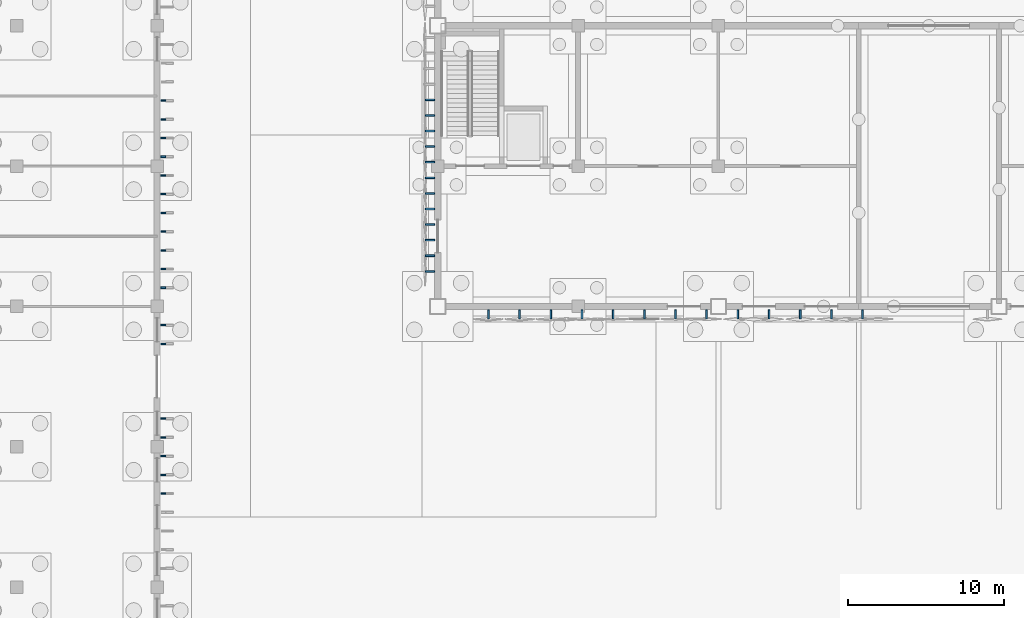
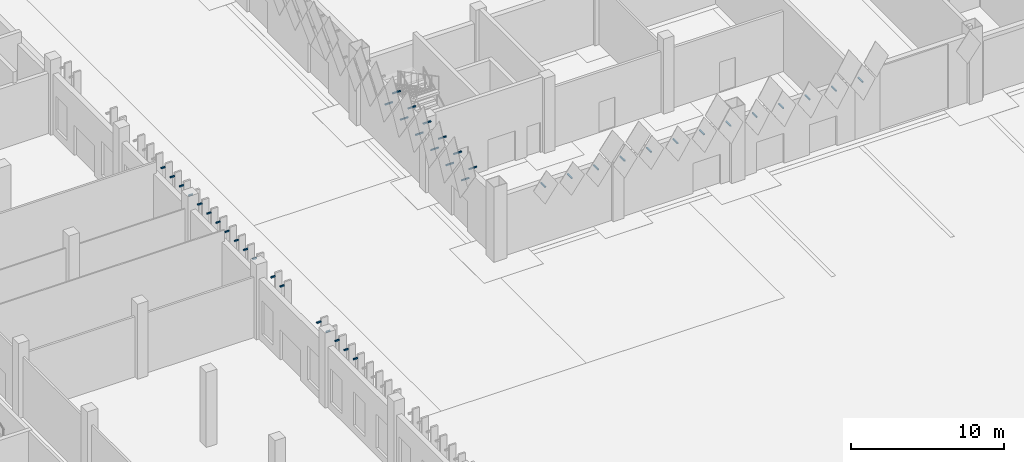
# One storey, part 116 of 198: 43 discrete accessories.
"""IFC4 building model written with IfcOpenShell, lengths in metres."""

from ifc_helpers import new_model, si_unit, direction, frame, origin, origin_2d, place, context, subcontext, project, spatial, polyline, rectangle, outline, extrude, material, type_object, element, save


model = new_model("IFC4")

# Units and contexts
model_context = context("Model", 3, precision=1e-05, world=origin(), true_north=direction((0.0, 1.0)))
body_context = subcontext(model_context, "Body", "Model", "MODEL_VIEW")
ifc_project = project(units=[si_unit("LENGTHUNIT", "METRE"), si_unit("AREAUNIT", "SQUARE_METRE"), si_unit("VOLUMEUNIT", "CUBIC_METRE"), si_unit("PLANEANGLEUNIT", "RADIAN"), si_unit("MASSUNIT", "GRAM", prefix="KILO")], contexts=[model_context])

# Site, building, storey
site_placement = place(None, origin())
site = spatial("IfcSite", under=ifc_project, at=site_placement, CompositionType="ELEMENT")
building_placement = place(site_placement, origin())
building = spatial("IfcBuilding", under=site, at=building_placement, Name="Opaline Strait Convention Centre", CompositionType="ELEMENT")
storey_placement = place(building_placement, origin())
storey = spatial("IfcBuildingStorey", under=building, at=storey_placement, Name="L00", CompositionType="ELEMENT", Elevation=0.0)

# Discrete accessories
ifc_material_1 = material(Name="Stainless steel 316", Category="steel")
discrete_accessory_type_1 = type_object("IfcDiscreteAccessoryType", Name="Fin bracket stainless steel 316", PredefinedType="BRACKET", material=ifc_material_1)
for number, where, z_axis, x_axis, name in (
    (1, (81.387451171875, 42.0, 5.219970703125), (0.0, 0.0, 1.0), (1.0, 0.0, 0.0), "Fin bracket E L00"),
    (2, (81.387451171875, 43.199951171875, 5.219970703125), (0.0, 0.0, 1.0), (1.0, 0.0, 0.0), "Fin bracket E L00"),
    (3, (81.387451171875, 44.39990234375, 5.219970703125), (0.0, 0.0, 1.0), (1.0, 0.0, 0.0), "Fin bracket E L00"),
    (4, (81.387451171875, 45.60009765625, 5.219970703125), (0.0, 0.0, 1.0), (1.0, 0.0, 0.0), "Fin bracket E L00"),
    (5, (81.387451171875, 46.800048828125, 5.219970703125), (0.0, 0.0, 1.0), (1.0, 0.0, 0.0), "Fin bracket E L00"),
    (6, (81.387451171875, 51.60009765625, 5.219970703125), (0.0, 0.0, 1.0), (1.0, 0.0, 0.0), "Fin bracket E L00"),
    (7, (81.387451171875, 52.800048828125, 5.219970703125), (0.0, 0.0, 1.0), (1.0, 0.0, 0.0), "Fin bracket E L00"),
    (8, (81.387451171875, 55.199951171875, 5.219970703125), (0.0, 0.0, 1.0), (1.0, 0.0, 0.0), "Fin bracket E L00"),
    (9, (81.387451171875, 56.39990234375, 5.219970703125), (0.0, 0.0, 1.0), (1.0, 0.0, 0.0), "Fin bracket E L00"),
    (10, (81.387451171875, 57.60009765625, 5.219970703125), (0.0, 0.0, 1.0), (1.0, 0.0, 0.0), "Fin bracket E L00"),
    (11, (81.387451171875, 58.800048828125, 5.219970703125), (0.0, 0.0, 1.0), (1.0, 0.0, 0.0), "Fin bracket E L00"),
    (12, (81.387451171875, 60.0, 5.219970703125), (0.0, 0.0, 1.0), (1.0, 0.0, 0.0), "Fin bracket E L00"),
    (13, (81.387451171875, 61.199951171875, 5.219970703125), (0.0, 0.0, 1.0), (1.0, 0.0, 0.0), "Fin bracket E L00"),
    (14, (81.387451171875, 62.39990234375, 5.219970703125), (0.0, 0.0, 1.0), (1.0, 0.0, 0.0), "Fin bracket E L00"),
    (15, (81.387451171875, 63.60009765625, 5.219970703125), (0.0, 0.0, 1.0), (1.0, 0.0, 0.0), "Fin bracket E L00"),
    (16, (81.387451171875, 64.800048828125, 5.219970703125), (0.0, 0.0, 1.0), (1.0, 0.0, 0.0), "Fin bracket E L00"),
    (17, (81.387451171875, 66.0, 5.219970703125), (0.0, 0.0, 1.0), (1.0, 0.0, 0.0), "Fin bracket E L00"),
    (18, (81.387451171875, 67.199951171875, 5.219970703125), (0.0, 0.0, 1.0), (1.0, 0.0, 0.0), "Fin bracket E L00"),
):
    element("IfcDiscreteAccessory", number, at=place(storey_placement, frame(where, z_axis=z_axis, x_axis=x_axis)), inside=storey, type_object=discrete_accessory_type_1, Name=name, PredefinedType="BRACKET", context=body_context, shape_type="SweptSolid", body=[
        extrude(rectangle(XDim=0.324951171875, YDim=0.10009765625, at=origin_2d()), origin(), (0.0, 0.0, 1.0), 0.10009765625),
    ])
ifc_material_2 = material(Name="Steel Q355B", Category="steel")
discrete_accessory_type_2 = type_object("IfcDiscreteAccessoryType", Name="Tile bracket 100x100 steel", PredefinedType="BRACKET", material=ifc_material_2)
for number, where, z_axis, x_axis, name in (
    (19, (102.199951171875, 53.800048828125, 4.89208984375), (1.0, 0.0, 0.0), (0.0, 1.0, 0.0), "Tile bracket XT07 S"),
    (20, (104.199951171875, 53.800048828125, 4.89208984375), (1.0, 0.0, 0.0), (0.0, 1.0, 0.0), "Tile bracket XT07 S"),
):
    element("IfcDiscreteAccessory", number, at=place(storey_placement, frame(where, z_axis=z_axis, x_axis=x_axis)), inside=storey, type_object=discrete_accessory_type_2, Name=name, PredefinedType="BRACKET", context=body_context, shape_type="SweptSolid", body=[
        extrude(outline(polyline([(0.0, -0.050048828125), (0.0, 0.050048828125), (-0.60302734375, 0.050048828125), (-0.596923828125, -0.050048828125), (0.0, -0.050048828125)])), origin(), (0.0, 0.0, 1.0), 0.10009765625),
    ])
discrete_accessory_1_placement = place(storey_placement, frame((106.199951171875, 53.800048828125, 4.89208984375), z_axis=(1.0, 0.0, 0.0), x_axis=(0.0, 1.0, 0.0)))
element("IfcDiscreteAccessory", 21, at=discrete_accessory_1_placement, inside=storey, type_object=discrete_accessory_type_2, Name="Tile bracket XT06 S", PredefinedType="BRACKET", context=body_context, shape_type="SweptSolid", body=[
    extrude(outline(polyline([(0.0, -0.050048828125), (0.0, 0.050048828125), (-0.6025390625, 0.050048828125), (-0.597412109375, -0.050048828125), (0.0, -0.050048828125)])), origin(), (0.0, 0.0, 1.0), 0.10009765625),
])
discrete_accessory_2_placement = place(storey_placement, frame((108.199951171875, 53.800048828125, 4.89208984375), z_axis=(1.0, 0.0, 0.0), x_axis=(0.0, 1.0, 0.0)))
element("IfcDiscreteAccessory", 22, at=discrete_accessory_2_placement, inside=storey, type_object=discrete_accessory_type_2, Name="Tile bracket XT04 S", PredefinedType="BRACKET", context=body_context, shape_type="SweptSolid", body=[
    extrude(outline(polyline([(0.0, -0.050048828125), (0.0, 0.050048828125), (-0.601806640625, 0.050048828125), (-0.59814453125, -0.050048828125), (0.0, -0.050048828125)])), origin(), (0.0, 0.0, 1.0), 0.10009765625),
])
discrete_accessory_3_placement = place(storey_placement, frame((110.199951171875, 53.800048828125, 4.89208984375), z_axis=(1.0, 0.0, 0.0), x_axis=(0.0, 1.0, 0.0)))
element("IfcDiscreteAccessory", 23, at=discrete_accessory_3_placement, inside=storey, type_object=discrete_accessory_type_2, Name="Tile bracket XT03 S", PredefinedType="BRACKET", context=body_context, shape_type="SweptSolid", body=[
    extrude(outline(polyline([(0.0, -0.050048828125), (0.0, 0.050048828125), (-0.601318359375, 0.050048828125), (-0.5986328125, -0.050048828125), (0.0, -0.050048828125)])), origin(), (0.0, 0.0, 1.0), 0.10009765625),
])
discrete_accessory_4_placement = place(storey_placement, frame((112.199951171875, 53.800048828125, 4.89208984375), z_axis=(1.0, 0.0, 0.0), x_axis=(0.0, 1.0, 0.0)))
element("IfcDiscreteAccessory", 24, at=discrete_accessory_4_placement, inside=storey, type_object=discrete_accessory_type_2, Name="Tile bracket XT03 S", PredefinedType="BRACKET", context=body_context, shape_type="SweptSolid", body=[
    extrude(outline(polyline([(0.0, -0.050048828125), (0.0, 0.050048828125), (-0.5986328125, 0.050048828125), (-0.601318359375, -0.050048828125), (0.0, -0.050048828125)])), origin(), (0.0, 0.0, 1.0), 0.10009765625),
])
discrete_accessory_5_placement = place(storey_placement, frame((114.199951171875, 53.800048828125, 4.89208984375), z_axis=(1.0, 0.0, 0.0), x_axis=(0.0, 1.0, 0.0)))
element("IfcDiscreteAccessory", 25, at=discrete_accessory_5_placement, inside=storey, type_object=discrete_accessory_type_2, Name="Tile bracket XT04 S", PredefinedType="BRACKET", context=body_context, shape_type="SweptSolid", body=[
    extrude(outline(polyline([(0.0, -0.050048828125), (0.0, 0.050048828125), (-0.59814453125, 0.050048828125), (-0.601806640625, -0.050048828125), (0.0, -0.050048828125)])), origin(), (0.0, 0.0, 1.0), 0.10009765625),
])
discrete_accessory_6_placement = place(storey_placement, frame((116.199951171875, 53.800048828125, 4.89208984375), z_axis=(1.0, 0.0, 0.0), x_axis=(0.0, 1.0, 0.0)))
element("IfcDiscreteAccessory", 26, at=discrete_accessory_6_placement, inside=storey, type_object=discrete_accessory_type_2, Name="Tile bracket XT07 S", PredefinedType="BRACKET", context=body_context, shape_type="SweptSolid", body=[
    extrude(outline(polyline([(0.0, -0.050048828125), (0.0, 0.050048828125), (-0.596923828125, 0.050048828125), (-0.60302734375, -0.050048828125), (0.0, -0.050048828125)])), origin(), (0.0, 0.0, 1.0), 0.10009765625),
])
discrete_accessory_7_placement = place(storey_placement, frame((118.199951171875, 53.800048828125, 4.89208984375), z_axis=(1.0, 0.0, 0.0), x_axis=(0.0, 1.0, 0.0)))
element("IfcDiscreteAccessory", 27, at=discrete_accessory_7_placement, inside=storey, type_object=discrete_accessory_type_2, Name="Tile bracket XT09 S", PredefinedType="BRACKET", context=body_context, shape_type="SweptSolid", body=[
    extrude(outline(polyline([(0.0, -0.050048828125), (0.0, 0.050048828125), (-0.595947265625, 0.050048828125), (-0.60400390625, -0.050048828125), (0.0, -0.050048828125)])), origin(), (0.0, 0.0, 1.0), 0.10009765625),
])
discrete_accessory_8_placement = place(storey_placement, frame((120.199951171875, 53.800048828125, 4.89208984375), z_axis=(1.0, 0.0, 0.0), x_axis=(0.0, 1.0, 0.0)))
element("IfcDiscreteAccessory", 28, at=discrete_accessory_8_placement, inside=storey, type_object=discrete_accessory_type_2, Name="Tile bracket XT10 S", PredefinedType="BRACKET", context=body_context, shape_type="SweptSolid", body=[
    extrude(outline(polyline([(0.0, -0.050048828125), (0.0, 0.050048828125), (-0.595703125, 0.050048828125), (-0.604248046875, -0.050048828125), (0.0, -0.050048828125)])), origin(), (0.0, 0.0, 1.0), 0.10009765625),
])
discrete_accessory_9_placement = place(storey_placement, frame((122.199951171875, 53.800048828125, 4.89208984375), z_axis=(1.0, 0.0, 0.0), x_axis=(0.0, 1.0, 0.0)))
element("IfcDiscreteAccessory", 29, at=discrete_accessory_9_placement, inside=storey, type_object=discrete_accessory_type_2, Name="Tile bracket XT11 S", PredefinedType="BRACKET", context=body_context, shape_type="SweptSolid", body=[
    extrude(outline(polyline([(0.0, -0.050048828125), (0.0, 0.050048828125), (-0.59521484375, 0.050048828125), (-0.604736328125, -0.050048828125), (0.0, -0.050048828125)])), origin(), (0.0, 0.0, 1.0), 0.10009765625),
])
discrete_accessory_10_placement = place(storey_placement, frame((124.199951171875, 53.800048828125, 4.89208984375), z_axis=(1.0, 0.0, 0.0), x_axis=(0.0, 1.0, 0.0)))
element("IfcDiscreteAccessory", 30, at=discrete_accessory_10_placement, inside=storey, type_object=discrete_accessory_type_2, Name="Tile bracket XT09 S", PredefinedType="BRACKET", context=body_context, shape_type="SweptSolid", body=[
    extrude(outline(polyline([(0.0, -0.050048828125), (0.0, 0.050048828125), (-0.595947265625, 0.050048828125), (-0.60400390625, -0.050048828125), (0.0, -0.050048828125)])), origin(), (0.0, 0.0, 1.0), 0.10009765625),
])
discrete_accessory_11_placement = place(storey_placement, frame((126.199951171875, 53.800048828125, 4.89208984375), z_axis=(1.0, 0.0, 0.0), x_axis=(0.0, 1.0, 0.0)))
element("IfcDiscreteAccessory", 31, at=discrete_accessory_11_placement, inside=storey, type_object=discrete_accessory_type_2, Name="Tile bracket XT07 S", PredefinedType="BRACKET", context=body_context, shape_type="SweptSolid", body=[
    extrude(outline(polyline([(0.0, -0.050048828125), (0.0, 0.050048828125), (-0.596923828125, 0.050048828125), (-0.60302734375, -0.050048828125), (0.0, -0.050048828125)])), origin(), (0.0, 0.0, 1.0), 0.10009765625),
])
discrete_accessory_12_placement = place(storey_placement, frame((98.800048828125, 67.300048828125, 4.39208984375), z_axis=(0.0, -1.0, 0.0), x_axis=(1.0, 0.0, 0.0)))
element("IfcDiscreteAccessory", 32, at=discrete_accessory_12_placement, inside=storey, type_object=discrete_accessory_type_2, Name="Tile bracket XT04 W", PredefinedType="BRACKET", context=body_context, shape_type="SweptSolid", body=[
    extrude(outline(polyline([(0.0, -0.050048828125), (0.0, 0.050048828125), (-0.59814453125, 0.050048828125), (-0.601806640625, -0.050048828125), (0.0, -0.050048828125)])), origin(), (0.0, 0.0, 1.0), 0.10009765625),
])
discrete_accessory_13_placement = place(storey_placement, frame((98.800048828125, 65.300048828125, 4.39208984375), z_axis=(0.0, -1.0, 0.0), x_axis=(1.0, 0.0, 0.0)))
element("IfcDiscreteAccessory", 33, at=discrete_accessory_13_placement, inside=storey, type_object=discrete_accessory_type_2, Name="Tile bracket XT06 W", PredefinedType="BRACKET", context=body_context, shape_type="SweptSolid", body=[
    extrude(outline(polyline([(0.0, -0.050048828125), (0.0, 0.050048828125), (-0.597412109375, 0.050048828125), (-0.6025390625, -0.050048828125), (0.0, -0.050048828125)])), origin(), (0.0, 0.0, 1.0), 0.10009765625),
])
discrete_accessory_14_placement = place(storey_placement, frame((98.800048828125, 63.300048828125, 4.39208984375), z_axis=(0.0, -1.0, 0.0), x_axis=(1.0, 0.0, 0.0)))
element("IfcDiscreteAccessory", 34, at=discrete_accessory_14_placement, inside=storey, type_object=discrete_accessory_type_2, Name="Tile bracket XT07 W", PredefinedType="BRACKET", context=body_context, shape_type="SweptSolid", body=[
    extrude(outline(polyline([(0.0, -0.050048828125), (0.0, 0.050048828125), (-0.596923828125, 0.050048828125), (-0.60302734375, -0.050048828125), (0.0, -0.050048828125)])), origin(), (0.0, 0.0, 1.0), 0.10009765625),
])
discrete_accessory_15_placement = place(storey_placement, frame((98.800048828125, 61.300048828125, 4.39208984375), z_axis=(0.0, -1.0, 0.0), x_axis=(1.0, 0.0, 0.0)))
element("IfcDiscreteAccessory", 35, at=discrete_accessory_15_placement, inside=storey, type_object=discrete_accessory_type_2, Name="Tile bracket XT09 W", PredefinedType="BRACKET", context=body_context, shape_type="SweptSolid", body=[
    extrude(outline(polyline([(0.0, -0.050048828125), (0.0, 0.050048828125), (-0.595947265625, 0.050048828125), (-0.60400390625, -0.050048828125), (0.0, -0.050048828125)])), origin(), (0.0, 0.0, 1.0), 0.10009765625),
])
discrete_accessory_16_placement = place(storey_placement, frame((98.800048828125, 59.300048828125, 4.39208984375), z_axis=(0.0, -1.0, 0.0), x_axis=(1.0, 0.0, 0.0)))
element("IfcDiscreteAccessory", 36, at=discrete_accessory_16_placement, inside=storey, type_object=discrete_accessory_type_2, Name="Tile bracket XT08 W", PredefinedType="BRACKET", context=body_context, shape_type="SweptSolid", body=[
    extrude(outline(polyline([(0.0, -0.050048828125), (0.0, 0.050048828125), (-0.596435546875, 0.050048828125), (-0.603515625, -0.050048828125), (0.0, -0.050048828125)])), origin(), (0.0, 0.0, 1.0), 0.10009765625),
])
discrete_accessory_17_placement = place(storey_placement, frame((98.800048828125, 57.300048828125, 4.39208984375), z_axis=(0.0, -1.0, 0.0), x_axis=(1.0, 0.0, 0.0)))
element("IfcDiscreteAccessory", 37, at=discrete_accessory_17_placement, inside=storey, type_object=discrete_accessory_type_2, Name="Tile bracket XT06 W", PredefinedType="BRACKET", context=body_context, shape_type="SweptSolid", body=[
    extrude(outline(polyline([(0.0, -0.050048828125), (0.0, 0.050048828125), (-0.597412109375, 0.050048828125), (-0.6025390625, -0.050048828125), (0.0, -0.050048828125)])), origin(), (0.0, 0.0, 1.0), 0.10009765625),
])
discrete_accessory_18_placement = place(storey_placement, frame((98.800048828125, 66.300048828125, 5.89208984375), z_axis=(0.0, -1.0, 0.0), x_axis=(1.0, 0.0, 0.0)))
element("IfcDiscreteAccessory", 38, at=discrete_accessory_18_placement, inside=storey, type_object=discrete_accessory_type_2, Name="Tile bracket XT04 W", PredefinedType="BRACKET", context=body_context, shape_type="SweptSolid", body=[
    extrude(outline(polyline([(0.0, -0.050048828125), (0.0, 0.050048828125), (-0.59814453125, 0.050048828125), (-0.601806640625, -0.050048828125), (0.0, -0.050048828125)])), origin(), (0.0, 0.0, 1.0), 0.10009765625),
])
discrete_accessory_19_placement = place(storey_placement, frame((98.800048828125, 64.300048828125, 5.89208984375), z_axis=(0.0, -1.0, 0.0), x_axis=(1.0, 0.0, 0.0)))
element("IfcDiscreteAccessory", 39, at=discrete_accessory_19_placement, inside=storey, type_object=discrete_accessory_type_2, Name="Tile bracket XT05 W", PredefinedType="BRACKET", context=body_context, shape_type="SweptSolid", body=[
    extrude(outline(polyline([(0.0, -0.050048828125), (0.0, 0.050048828125), (-0.597900390625, 0.050048828125), (-0.602294921875, -0.050048828125), (0.0, -0.050048828125)])), origin(), (0.0, 0.0, 1.0), 0.10009765625),
])
discrete_accessory_20_placement = place(storey_placement, frame((98.800048828125, 62.300048828125, 5.89208984375), z_axis=(0.0, -1.0, 0.0), x_axis=(1.0, 0.0, 0.0)))
element("IfcDiscreteAccessory", 40, at=discrete_accessory_20_placement, inside=storey, type_object=discrete_accessory_type_2, Name="Tile bracket XT07 W", PredefinedType="BRACKET", context=body_context, shape_type="SweptSolid", body=[
    extrude(outline(polyline([(0.0, -0.050048828125), (0.0, 0.050048828125), (-0.596923828125, 0.050048828125), (-0.60302734375, -0.050048828125), (0.0, -0.050048828125)])), origin(), (0.0, 0.0, 1.0), 0.10009765625),
])
discrete_accessory_21_placement = place(storey_placement, frame((98.800048828125, 60.300048828125, 5.89208984375), z_axis=(0.0, -1.0, 0.0), x_axis=(1.0, 0.0, 0.0)))
element("IfcDiscreteAccessory", 41, at=discrete_accessory_21_placement, inside=storey, type_object=discrete_accessory_type_2, Name="Tile bracket XT08 W", PredefinedType="BRACKET", context=body_context, shape_type="SweptSolid", body=[
    extrude(outline(polyline([(0.0, -0.050048828125), (0.0, 0.050048828125), (-0.596435546875, 0.050048828125), (-0.603515625, -0.050048828125), (0.0, -0.050048828125)])), origin(), (0.0, 0.0, 1.0), 0.10009765625),
])
discrete_accessory_22_placement = place(storey_placement, frame((98.800048828125, 58.300048828125, 5.89208984375), z_axis=(0.0, -1.0, 0.0), x_axis=(1.0, 0.0, 0.0)))
element("IfcDiscreteAccessory", 42, at=discrete_accessory_22_placement, inside=storey, type_object=discrete_accessory_type_2, Name="Tile bracket XT07 W", PredefinedType="BRACKET", context=body_context, shape_type="SweptSolid", body=[
    extrude(outline(polyline([(0.0, -0.050048828125), (0.0, 0.050048828125), (-0.596923828125, 0.050048828125), (-0.60302734375, -0.050048828125), (0.0, -0.050048828125)])), origin(), (0.0, 0.0, 1.0), 0.10009765625),
])
discrete_accessory_23_placement = place(storey_placement, frame((98.800048828125, 56.300048828125, 5.89208984375), z_axis=(0.0, -1.0, 0.0), x_axis=(1.0, 0.0, 0.0)))
element("IfcDiscreteAccessory", 43, at=discrete_accessory_23_placement, inside=storey, type_object=discrete_accessory_type_2, Name="Tile bracket XT06 W", PredefinedType="BRACKET", context=body_context, shape_type="SweptSolid", body=[
    extrude(outline(polyline([(0.0, -0.050048828125), (0.0, 0.050048828125), (-0.597412109375, 0.050048828125), (-0.6025390625, -0.050048828125), (0.0, -0.050048828125)])), origin(), (0.0, 0.0, 1.0), 0.10009765625),
])

save(model, "model.ifc")
